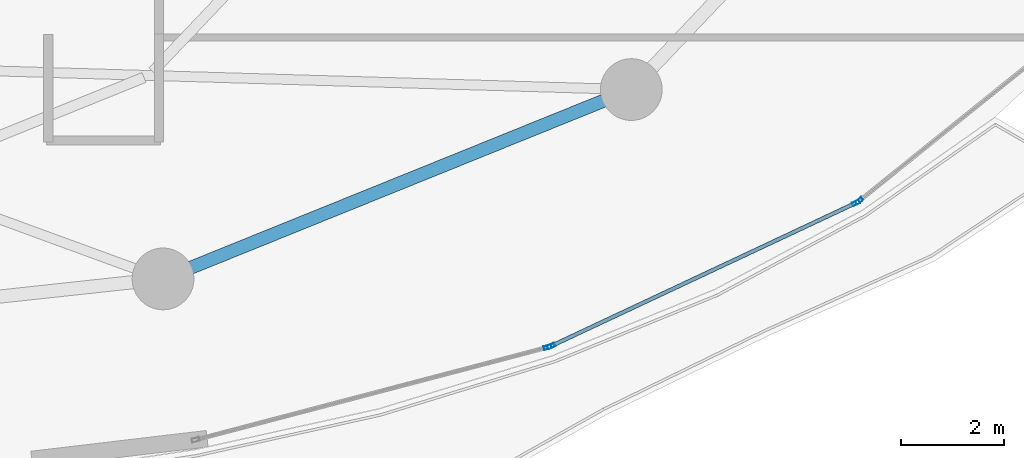
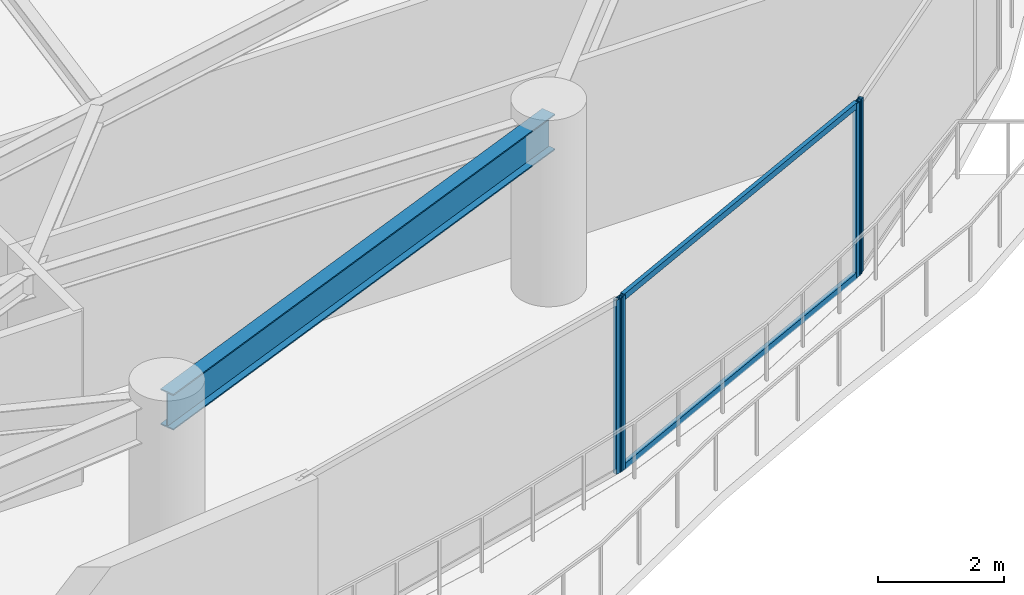
# One storey, part 14 of 33: 6 members, 1 beam, 3 elements without a shape of their own.
"""IFC4 building model written with IfcOpenShell, lengths in metres."""

from ifc_helpers import new_model, si_unit, direction, frame, origin, origin_2d, place, context, subcontext, project, spatial, hollow_rectangle, i_section, extrude, material, layer, layer_set, material_profile, profile_set, type_object, element, aggregate, save


model = new_model("IFC4")

# Units and contexts
model_context = context("Model", 3, precision=1e-05, world=origin(), true_north=direction((0.0, 1.0)))
body_context = subcontext(model_context, "Body", "Model", "MODEL_VIEW")
ifc_project = project(units=[si_unit("LENGTHUNIT", "METRE"), si_unit("AREAUNIT", "SQUARE_METRE"), si_unit("VOLUMEUNIT", "CUBIC_METRE"), si_unit("PLANEANGLEUNIT", "RADIAN"), si_unit("MASSUNIT", "GRAM", prefix="KILO")], contexts=[model_context])

# Site, building, storey
site_placement = place(None, origin())
site = spatial("IfcSite", under=ifc_project, at=site_placement, CompositionType="ELEMENT")
building_placement = place(site_placement, origin())
building = spatial("IfcBuilding", under=site, at=building_placement, Name="Kazevale Care Tower and Concert Hall", CompositionType="ELEMENT")
storey_placement = place(building_placement, frame((0.0, 0.0, 149.39990234375)))
storey = spatial("IfcBuildingStorey", under=building, at=storey_placement, Name="L39", CompositionType="ELEMENT", Elevation=149.39990234375)

# Curtain wall, member
ifc_material_1 = material(Name="Aluminium 6063-T6 and Low-E Glass", Category="aluminium")
ifc_layer = layer(ifc_material_1, 0.179931640625)
ifc_layer_set = layer_set([ifc_layer], Name="Aluminium 6063-T6 and Low-E Glass")
curtain_wall_type = type_object("IfcCurtainWallType", Name="Sheltered Concave Balcony Curtain Wall CW-5", PredefinedType="NOTDEFINED", material=ifc_layer_set)
curtain_wall_1_placement = place(storey_placement, origin())
curtain_wall_1 = element("IfcCurtainWall", 1, at=curtain_wall_1_placement, inside=storey, type_object=curtain_wall_type, Name="cw:L39:f02", PredefinedType="NOTDEFINED")
ifc_material_2 = material(Name="Aluminium 6063-T6", Category="aluminium")
ifc_material_profile_1 = material_profile(ifc_material_2, hollow_rectangle(XDim=0.074951171875, YDim=0.14990234375, WallThickness=0.00390625, at=origin_2d()), Name="ALU75x150x4")
ifc_profile_set_1 = profile_set([ifc_material_profile_1], Name="Aluminium 6063-T6")
member_type_1 = type_object("IfcMemberType", Name="CW-5 Mullion ALU75x150x4", PredefinedType="MULLION", material=ifc_profile_set_1)
member_1_placement = place(storey_placement, frame((69.25927734375, 20.826416015625, 0.0), z_axis=(0.0, 0.0, 1.0), x_axis=(0.626905357502, -0.779095419531, 0.0)))
member_1 = element("IfcMember", 2, at=member_1_placement, type_object=member_type_1, Name="CW-5 mullion 2", PredefinedType="MULLION", context=body_context, shape_type="SweptSolid", body=[
    extrude(hollow_rectangle(XDim=0.074951171875, YDim=0.14990234375, WallThickness=0.00390625, at=origin_2d()), origin(), (0.0, 0.0, 1.0), 3.360107421875),
])
aggregate(curtain_wall_1, [member_1])

# Curtain wall, members
curtain_wall_2_placement = place(storey_placement, origin())
curtain_wall_2 = element("IfcCurtainWall", 3, at=curtain_wall_2_placement, inside=storey, type_object=curtain_wall_type, Name="cw:L39:f03", PredefinedType="NOTDEFINED")
member_2_placement = place(storey_placement, frame((69.196044921875, 20.787109375, 0.0), z_axis=(0.0, 0.0, 1.0), x_axis=(0.425010766963, -0.905188294205, 0.0)))
member_2 = element("IfcMember", 4, at=member_2_placement, type_object=member_type_1, Name="CW-5 mullion 1", PredefinedType="MULLION", context=body_context, shape_type="SweptSolid", body=[
    extrude(hollow_rectangle(XDim=0.074951171875, YDim=0.14990234375, WallThickness=0.00390625, at=origin_2d()), origin(), (0.0, 0.0, 1.0), 3.360107421875),
])
member_3_placement = place(storey_placement, frame((63.27490234375, 18.0068359375, 0.0), z_axis=(0.0, 0.0, 1.0), x_axis=(0.425010766963, -0.905188294205, 0.0)))
member_3 = element("IfcMember", 5, at=member_3_placement, type_object=member_type_1, Name="CW-5 mullion 2", PredefinedType="MULLION", context=body_context, shape_type="SweptSolid", body=[
    extrude(hollow_rectangle(XDim=0.074951171875, YDim=0.14990234375, WallThickness=0.00390625, at=origin_2d()), origin(), (0.0, 0.0, 1.0), 3.360107421875),
])

# Curtain wall, member
curtain_wall_3_placement = place(storey_placement, origin())
curtain_wall_3 = element("IfcCurtainWall", 6, at=curtain_wall_3_placement, inside=storey, type_object=curtain_wall_type, Name="cw:L39:f04", PredefinedType="NOTDEFINED")
member_4_placement = place(storey_placement, frame((63.204833984375, 17.9814453125, 0.0), z_axis=(0.0, 0.0, 1.0), x_axis=(0.254238458229, -0.967141564797, 0.0)))
member_4 = element("IfcMember", 7, at=member_4_placement, type_object=member_type_1, Name="CW-5 mullion 1", PredefinedType="MULLION", context=body_context, shape_type="SweptSolid", body=[
    extrude(hollow_rectangle(XDim=0.074951171875, YDim=0.14990234375, WallThickness=0.00390625, at=origin_2d()), origin(), (0.0, 0.0, 1.0), 3.360107421875),
])
aggregate(curtain_wall_3, [member_4])

# Member
ifc_material_profile_2 = material_profile(ifc_material_2, hollow_rectangle(XDim=0.074951171875, YDim=0.1201171875, WallThickness=0.00390625, at=origin_2d()), Name="ALU75x120x4")
ifc_profile_set_2 = profile_set([ifc_material_profile_2], Name="Aluminium 6063-T6")
member_type_2 = type_object("IfcMemberType", Name="CW-5 Transom ALU75x120x4", PredefinedType="USERDEFINED", material=ifc_profile_set_2)
member_5_placement = place(storey_placement, frame((69.162109375, 20.771240234375, 0.03759765625), z_axis=(-0.90518714704, -0.425013210187, 0.0), x_axis=(0.425013210187, -0.90518714704, 0.0)))
member_5 = element("IfcMember", 8, at=member_5_placement, type_object=member_type_2, Name="CW-5 transom 1.1", ObjectType="TRANSOM", PredefinedType="USERDEFINED", context=body_context, shape_type="SweptSolid", body=[
    extrude(hollow_rectangle(XDim=0.074951171875, YDim=0.1201171875, WallThickness=0.00390625, at=origin_2d()), origin(), (0.0, 0.0, 1.0), 6.46630859375),
])

member_6_placement = place(storey_placement, frame((69.162109375, 20.771240234375, 3.322509765625), z_axis=(-0.90518714704, -0.425013210187, 0.0), x_axis=(0.425013210187, -0.90518714704, 0.0)))
member_6 = element("IfcMember", 9, at=member_6_placement, type_object=member_type_2, Name="CW-5 transom 1.2", ObjectType="TRANSOM", PredefinedType="USERDEFINED", context=body_context, shape_type="SweptSolid", body=[
    extrude(hollow_rectangle(XDim=0.074951171875, YDim=0.1201171875, WallThickness=0.00390625, at=origin_2d()), origin(), (0.0, 0.0, 1.0), 6.46630859375),
])

aggregate(curtain_wall_2, [member_2, member_3, member_5, member_6])

# Beam
ifc_material_3 = material(Name="Steel ASTM A572 Gr 50", Category="steel")
ifc_material_profile_3 = material_profile(ifc_material_3, i_section(OverallWidth=0.256103515625, OverallDepth=0.693115234375, WebThickness=0.014404296875, FlangeThickness=0.023681640625, at=origin_2d()), Name="W690x170")
ifc_profile_set_3 = profile_set([ifc_material_profile_3], Name="Steel ASTM A572 Gr 50")
beam_type = type_object("IfcBeamType", Name="Waist Ring Beam W690x170", PredefinedType="BEAM", material=ifc_profile_set_3)
beam_placement = place(storey_placement, frame((55.72998046875, 19.31005859375, 3.013671875), z_axis=(0.927068687828, 0.374891515041, 0.0), x_axis=(-0.374891515041, 0.927068687828, 0.0)))
element("IfcBeam", 10, at=beam_placement, inside=storey, type_object=beam_type, Name="beam:L39:ring:14", PredefinedType="BEAM", context=body_context, shape_type="SweptSolid", body=[
    extrude(i_section(OverallWidth=0.256103515625, OverallDepth=0.693115234375, WebThickness=0.014404296875, FlangeThickness=0.023681640625, at=origin_2d()), origin(), (0.0, 0.0, 1.0), 9.81591796875),
])

save(model, "model.ifc")
